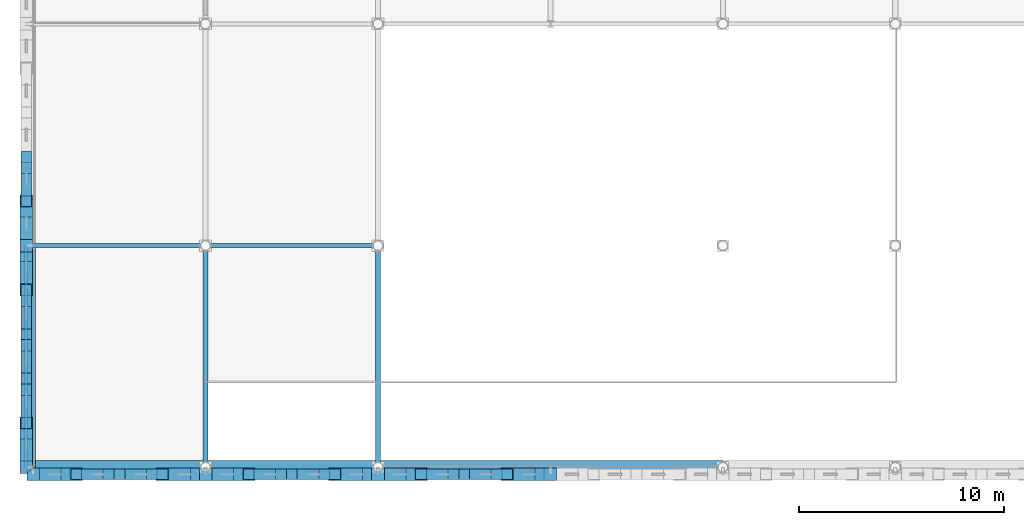
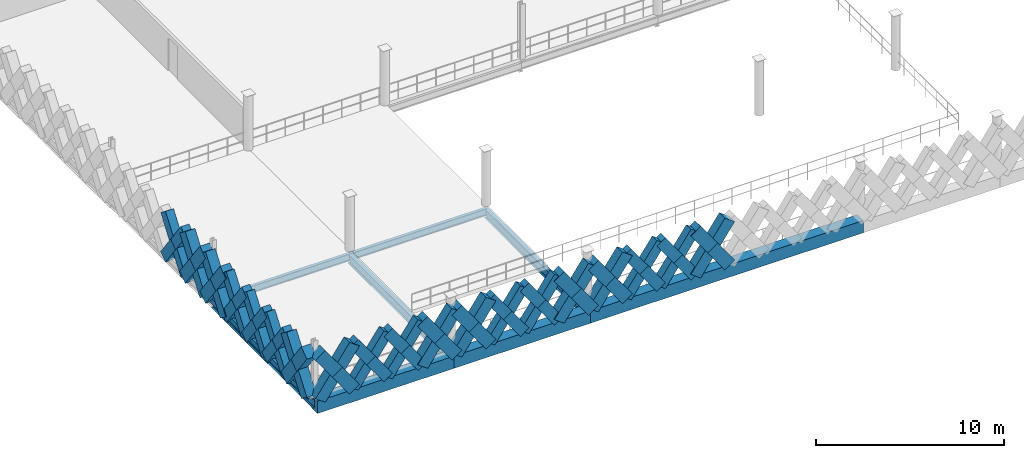
# One storey, part 13 of 47: 58 members, 8 beams.
"""IFC4 building model written with IfcOpenShell, lengths in metres."""

from ifc_helpers import new_model, si_unit, direction, frame, origin, origin_2d, place, context, subcontext, project, spatial, rectangle, hollow_rectangle, i_section, extrude, material, material_profile, profile_set, type_object, element, save


model = new_model("IFC4")

# Units and contexts
model_context = context("Model", 3, precision=1e-05, world=origin(), true_north=direction((0.0, 1.0)))
body_context = subcontext(model_context, "Body", "Model", "MODEL_VIEW")
ifc_project = project(units=[si_unit("LENGTHUNIT", "METRE"), si_unit("AREAUNIT", "SQUARE_METRE"), si_unit("VOLUMEUNIT", "CUBIC_METRE"), si_unit("PLANEANGLEUNIT", "RADIAN"), si_unit("MASSUNIT", "GRAM", prefix="KILO"), si_unit("THERMODYNAMICTEMPERATUREUNIT", "KELVIN"), si_unit("POWERUNIT", "WATT")], contexts=[model_context])

# Site, building, storey
site_placement = place(None, origin())
site = spatial("IfcSite", under=ifc_project, at=site_placement, CompositionType="ELEMENT")
building_placement = place(site_placement, origin())
building = spatial("IfcBuilding", under=site, at=building_placement, Name="Tembeka Court Mobility Hub", CompositionType="ELEMENT")
storey_placement = place(building_placement, frame((0.0, 0.0, 19.800048828125)))
storey = spatial("IfcBuildingStorey", under=building, at=storey_placement, Name="L05", CompositionType="ELEMENT", Elevation=19.800048828125)

# Beams
ifc_material_1 = material(Name="Steel S355", Category="steel")
ifc_material_profile_1 = material_profile(ifc_material_1, i_section(OverallWidth=0.18994140625, OverallDepth=0.45703125, WebThickness=0.009033203125, FlangeThickness=0.014404296875, FilletRadius=0.01025390625, at=origin_2d()), Name="UKB 457x191x74")
ifc_profile_set_1 = profile_set([ifc_material_profile_1], Name="Steel S355")
beam_type_1 = type_object("IfcBeamType", Name="BM-B01", PredefinedType="BEAM", material=ifc_profile_set_1)
beam_1_placement = place(storey_placement, frame((0.0, 10.800048828125, -0.478515625), z_axis=(1.0, 0.0, 0.0), x_axis=(0.0, 1.0, 0.0)))
element("IfcBeam", 1, at=beam_1_placement, inside=storey, type_object=beam_type_1, Name="Beam B01 (BM-L05-X2672)", PredefinedType="BEAM", context=body_context, shape_type="SweptSolid", body=[
    extrude(i_section(OverallWidth=0.18994140625, OverallDepth=0.45703125, WebThickness=0.009033203125, FlangeThickness=0.014404296875, FilletRadius=0.01025390625, at=origin_2d()), origin(), (0.0, 0.0, 1.0), 8.39990234375),
])
beam_2_placement = place(storey_placement, frame((8.39990234375, 10.800048828125, -0.478515625), z_axis=(1.0, 0.0, 0.0), x_axis=(0.0, 1.0, 0.0)))
element("IfcBeam", 2, at=beam_2_placement, inside=storey, type_object=beam_type_1, Name="Beam B01 (BM-L05-X2673)", PredefinedType="BEAM", context=body_context, shape_type="SweptSolid", body=[
    extrude(i_section(OverallWidth=0.18994140625, OverallDepth=0.45703125, WebThickness=0.009033203125, FlangeThickness=0.014404296875, FilletRadius=0.01025390625, at=origin_2d()), origin(), (0.0, 0.0, 1.0), 8.400146484375),
])
ifc_material_profile_2 = material_profile(ifc_material_1, i_section(OverallWidth=0.22900390625, OverallDepth=0.612060546875, WebThickness=0.011962890625, FlangeThickness=0.01953125, FilletRadius=0.0126953125, at=origin_2d()), Name="UKB 610x229x125")
ifc_profile_set_2 = profile_set([ifc_material_profile_2], Name="Steel S355")
beam_type_2 = type_object("IfcBeamType", Name="BM-G02", PredefinedType="USERDEFINED", material=ifc_profile_set_2)
for number, where, z_axis, x_axis, name in (
    (3, (0.0, 0.0, -0.526123046875), (0.0, 1.0, 0.0), (-1.0, 0.0, 0.0), "Beam G02 (BM-L05-Y2776)"),
    (4, (8.39990234375, 0.0, -0.55615234375), (0.0, 1.0, 0.0), (-1.0, 0.0, 0.0), "Beam G02 (BM-L05-Y2787)"),
    (5, (16.800048828125, 0.0, -0.55615234375), (0.0, 1.0, 0.0), (-1.0, 0.0, 0.0), "Beam G02 (BM-L05-Y2798)"),
):
    element("IfcBeam", number, at=place(storey_placement, frame(where, z_axis=z_axis, x_axis=x_axis)), inside=storey, type_object=beam_type_2, Name=name, ObjectType="GIRDER", PredefinedType="USERDEFINED", context=body_context, shape_type="SweptSolid", body=[
        extrude(i_section(OverallWidth=0.22900390625, OverallDepth=0.612060546875, WebThickness=0.011962890625, FlangeThickness=0.01953125, FilletRadius=0.0126953125, at=origin_2d()), origin(), (0.0, 0.0, 1.0), 10.800048828125),
    ])
ifc_material_2 = material(Name="Precast concrete C45/55", Category="concrete")
ifc_material_profile_3 = material_profile(ifc_material_2, rectangle(XDim=0.64990234375, YDim=0.800048828125, at=origin_2d()), Name="PC-SP 650x800")
ifc_profile_set_3 = profile_set([ifc_material_profile_3], Name="Precast concrete C45/55")
beam_type_3 = type_object("IfcBeamType", Name="BM-SP01", PredefinedType="SPANDREL", material=ifc_profile_set_3)
beam_3_placement = place(storey_placement, frame((0.0, 0.0, -0.6201171875), z_axis=(1.0, 0.0, 0.0), x_axis=(0.0, 1.0, 0.0)))
element("IfcBeam", 6, at=beam_3_placement, inside=storey, type_object=beam_type_3, Name="Beam SP01 (BM-L05-X2659)", PredefinedType="SPANDREL", context=body_context, shape_type="SweptSolid", body=[
    extrude(rectangle(XDim=0.64990234375, YDim=0.800048828125, at=origin_2d()), origin(), (0.0, 0.0, 1.0), 8.39990234375),
])
beam_4_placement = place(storey_placement, frame((8.39990234375, 0.0, -0.6201171875), z_axis=(1.0, 0.0, 0.0), x_axis=(0.0, 1.0, 0.0)))
element("IfcBeam", 7, at=beam_4_placement, inside=storey, type_object=beam_type_3, Name="Beam SP01 (BM-L05-X2660)", PredefinedType="SPANDREL", context=body_context, shape_type="SweptSolid", body=[
    extrude(rectangle(XDim=0.64990234375, YDim=0.800048828125, at=origin_2d()), origin(), (0.0, 0.0, 1.0), 8.400146484375),
])
beam_5_placement = place(storey_placement, frame((16.800048828125, 0.0, -0.6201171875), z_axis=(1.0, 0.0, 0.0), x_axis=(0.0, 1.0, 0.0)))
element("IfcBeam", 8, at=beam_5_placement, inside=storey, type_object=beam_type_3, Name="Beam SP01 (BM-L05-X2661)", PredefinedType="SPANDREL", context=body_context, shape_type="SweptSolid", body=[
    extrude(rectangle(XDim=0.64990234375, YDim=0.800048828125, at=origin_2d()), origin(), (0.0, 0.0, 1.0), 16.800048828125),
])

# Members
ifc_material_profile_4 = material_profile(ifc_material_2, rectangle(XDim=0.5, YDim=0.64990234375, at=origin_2d()), Name="PC-DIAG 500x650")
ifc_profile_set_4 = profile_set([ifc_material_profile_4], Name="Precast concrete C45/55")
member_type_1 = type_object("IfcMemberType", Name="MEM-DL01", PredefinedType="BRACE", material=ifc_profile_set_4)
member_1_placement = place(storey_placement, frame((2.10009765625, -0.340087890625, 0.02001953125), z_axis=(0.58253161945, 0.0, 0.812808041509), x_axis=(0.0, 1.0, 0.0)))
element("IfcMember", 9, at=member_1_placement, inside=storey, type_object=member_type_1, Name="Precast diamond lattice continuous strand DL01 (L05-790A)", PredefinedType="BRACE", context=body_context, shape_type="SweptSolid", body=[
    extrude(rectangle(XDim=0.5, YDim=0.64990234375, at=origin_2d()), origin(), (0.0, 0.0, 1.0), 3.604736328125),
])
member_2_placement = place(storey_placement, frame((4.199951171875, -0.340087890625, 0.02001953125), z_axis=(-0.582608431711, 0.0, 0.812752985414), x_axis=(0.0, -1.0, 0.0)))
element("IfcMember", 10, at=member_2_placement, inside=storey, type_object=member_type_1, Name="Precast diamond lattice split lower strand DL01 (L05-790B1)", PredefinedType="BRACE", context=body_context, shape_type="SweptSolid", body=[
    extrude(rectangle(XDim=0.5, YDim=0.64990234375, at=origin_2d()), origin(), (0.0, 0.0, 1.0), 1.80224609375),
])
member_3_placement = place(storey_placement, frame((3.14990234375, -0.340087890625, 1.48486328125), z_axis=(-0.582454804382, 0.0, 0.812863088627), x_axis=(0.0, -1.0, 0.0)))
element("IfcMember", 11, at=member_3_placement, inside=storey, type_object=member_type_1, Name="Precast diamond lattice split upper strand DL01 (L05-790B2)", PredefinedType="BRACE", context=body_context, shape_type="SweptSolid", body=[
    extrude(rectangle(XDim=0.5, YDim=0.64990234375, at=origin_2d()), origin(), (0.0, 0.0, 1.0), 1.802490234375),
])
member_4_placement = place(storey_placement, frame((4.199951171875, -0.340087890625, 0.02001953125), z_axis=(0.582576362011, 0.0, 0.812775973086), x_axis=(0.0, 1.0, 0.0)))
element("IfcMember", 12, at=member_4_placement, inside=storey, type_object=member_type_1, Name="Precast diamond lattice continuous strand DL01 (L05-791A)", PredefinedType="BRACE", context=body_context, shape_type="SweptSolid", body=[
    extrude(rectangle(XDim=0.5, YDim=0.64990234375, at=origin_2d()), origin(), (0.0, 0.0, 1.0), 3.604736328125),
])
member_5_placement = place(storey_placement, frame((6.300048828125, -0.340087890625, 0.02001953125), z_axis=(-0.582608431711, 0.0, 0.812752985414), x_axis=(0.0, -1.0, 0.0)))
element("IfcMember", 13, at=member_5_placement, inside=storey, type_object=member_type_1, Name="Precast diamond lattice split lower strand DL01 (L05-791B1)", PredefinedType="BRACE", context=body_context, shape_type="SweptSolid", body=[
    extrude(rectangle(XDim=0.5, YDim=0.64990234375, at=origin_2d()), origin(), (0.0, 0.0, 1.0), 1.80224609375),
])
member_6_placement = place(storey_placement, frame((5.25, -0.340087890625, 1.48486328125), z_axis=(-0.582544294934, 0.0, 0.812798956963), x_axis=(0.0, -1.0, 0.0)))
element("IfcMember", 14, at=member_6_placement, inside=storey, type_object=member_type_1, Name="Precast diamond lattice split upper strand DL01 (L05-791B2)", PredefinedType="BRACE", context=body_context, shape_type="SweptSolid", body=[
    extrude(rectangle(XDim=0.5, YDim=0.64990234375, at=origin_2d()), origin(), (0.0, 0.0, 1.0), 1.802490234375),
])
member_7_placement = place(storey_placement, frame((10.5, -0.340087890625, 0.02001953125), z_axis=(0.582576362011, 0.0, 0.812775973086), x_axis=(0.0, 1.0, 0.0)))
element("IfcMember", 15, at=member_7_placement, inside=storey, type_object=member_type_1, Name="Precast diamond lattice continuous strand DL01 (L05-794A)", PredefinedType="BRACE", context=body_context, shape_type="SweptSolid", body=[
    extrude(rectangle(XDim=0.5, YDim=0.64990234375, at=origin_2d()), origin(), (0.0, 0.0, 1.0), 3.604736328125),
])
member_8_placement = place(storey_placement, frame((12.60009765625, -0.340087890625, 0.02001953125), z_axis=(-0.582608431711, 0.0, 0.812752985414), x_axis=(0.0, -1.0, 0.0)))
element("IfcMember", 16, at=member_8_placement, inside=storey, type_object=member_type_1, Name="Precast diamond lattice split lower strand DL01 (L05-794B1)", PredefinedType="BRACE", context=body_context, shape_type="SweptSolid", body=[
    extrude(rectangle(XDim=0.5, YDim=0.64990234375, at=origin_2d()), origin(), (0.0, 0.0, 1.0), 1.80224609375),
])
member_9_placement = place(storey_placement, frame((11.550048828125, -0.340087890625, 1.48486328125), z_axis=(-0.582544294934, 0.0, 0.812798956963), x_axis=(0.0, -1.0, 0.0)))
element("IfcMember", 17, at=member_9_placement, inside=storey, type_object=member_type_1, Name="Precast diamond lattice split upper strand DL01 (L05-794B2)", PredefinedType="BRACE", context=body_context, shape_type="SweptSolid", body=[
    extrude(rectangle(XDim=0.5, YDim=0.64990234375, at=origin_2d()), origin(), (0.0, 0.0, 1.0), 1.802490234375),
])
member_10_placement = place(storey_placement, frame((12.60009765625, -0.340087890625, 0.02001953125), z_axis=(0.58253161945, 0.0, 0.812808041509), x_axis=(0.0, 1.0, 0.0)))
element("IfcMember", 18, at=member_10_placement, inside=storey, type_object=member_type_1, Name="Precast diamond lattice continuous strand DL01 (L05-795A)", PredefinedType="BRACE", context=body_context, shape_type="SweptSolid", body=[
    extrude(rectangle(XDim=0.5, YDim=0.64990234375, at=origin_2d()), origin(), (0.0, 0.0, 1.0), 3.604736328125),
])
member_11_placement = place(storey_placement, frame((14.699951171875, -0.340087890625, 0.02001953125), z_axis=(-0.582608431711, 0.0, 0.812752985414), x_axis=(0.0, -1.0, 0.0)))
element("IfcMember", 19, at=member_11_placement, inside=storey, type_object=member_type_1, Name="Precast diamond lattice split lower strand DL01 (L05-795B1)", PredefinedType="BRACE", context=body_context, shape_type="SweptSolid", body=[
    extrude(rectangle(XDim=0.5, YDim=0.64990234375, at=origin_2d()), origin(), (0.0, 0.0, 1.0), 1.80224609375),
])
member_12_placement = place(storey_placement, frame((13.64990234375, -0.340087890625, 1.48486328125), z_axis=(-0.582454804382, 0.0, 0.812863088627), x_axis=(0.0, -1.0, 0.0)))
element("IfcMember", 20, at=member_12_placement, inside=storey, type_object=member_type_1, Name="Precast diamond lattice split upper strand DL01 (L05-795B2)", PredefinedType="BRACE", context=body_context, shape_type="SweptSolid", body=[
    extrude(rectangle(XDim=0.5, YDim=0.64990234375, at=origin_2d()), origin(), (0.0, 0.0, 1.0), 1.802490234375),
])
member_13_placement = place(storey_placement, frame((18.89990234375, -0.340087890625, 0.02001953125), z_axis=(0.582576362011, 0.0, 0.812775973086), x_axis=(0.0, 1.0, 0.0)))
element("IfcMember", 21, at=member_13_placement, inside=storey, type_object=member_type_1, Name="Precast diamond lattice continuous strand DL01 (L05-798A)", PredefinedType="BRACE", context=body_context, shape_type="SweptSolid", body=[
    extrude(rectangle(XDim=0.5, YDim=0.64990234375, at=origin_2d()), origin(), (0.0, 0.0, 1.0), 3.604736328125),
])
member_14_placement = place(storey_placement, frame((21.0, -0.340087890625, 0.02001953125), z_axis=(-0.582608431711, 0.0, 0.812752985414), x_axis=(0.0, -1.0, 0.0)))
element("IfcMember", 22, at=member_14_placement, inside=storey, type_object=member_type_1, Name="Precast diamond lattice split lower strand DL01 (L05-798B1)", PredefinedType="BRACE", context=body_context, shape_type="SweptSolid", body=[
    extrude(rectangle(XDim=0.5, YDim=0.64990234375, at=origin_2d()), origin(), (0.0, 0.0, 1.0), 1.80224609375),
])
member_15_placement = place(storey_placement, frame((19.949951171875, -0.340087890625, 1.48486328125), z_axis=(-0.582544294934, 0.0, 0.812798956963), x_axis=(0.0, -1.0, 0.0)))
element("IfcMember", 23, at=member_15_placement, inside=storey, type_object=member_type_1, Name="Precast diamond lattice split upper strand DL01 (L05-798B2)", PredefinedType="BRACE", context=body_context, shape_type="SweptSolid", body=[
    extrude(rectangle(XDim=0.5, YDim=0.64990234375, at=origin_2d()), origin(), (0.0, 0.0, 1.0), 1.802490234375),
])
member_16_placement = place(storey_placement, frame((21.0, -0.340087890625, 0.02001953125), z_axis=(0.582576362011, 0.0, 0.812775973086), x_axis=(0.0, 1.0, 0.0)))
element("IfcMember", 24, at=member_16_placement, inside=storey, type_object=member_type_1, Name="Precast diamond lattice continuous strand DL01 (L05-799A)", PredefinedType="BRACE", context=body_context, shape_type="SweptSolid", body=[
    extrude(rectangle(XDim=0.5, YDim=0.64990234375, at=origin_2d()), origin(), (0.0, 0.0, 1.0), 3.604736328125),
])
member_17_placement = place(storey_placement, frame((23.10009765625, -0.340087890625, 0.02001953125), z_axis=(-0.582608431711, 0.0, 0.812752985414), x_axis=(0.0, -1.0, 0.0)))
element("IfcMember", 25, at=member_17_placement, inside=storey, type_object=member_type_1, Name="Precast diamond lattice split lower strand DL01 (L05-799B1)", PredefinedType="BRACE", context=body_context, shape_type="SweptSolid", body=[
    extrude(rectangle(XDim=0.5, YDim=0.64990234375, at=origin_2d()), origin(), (0.0, 0.0, 1.0), 1.80224609375),
])
member_18_placement = place(storey_placement, frame((22.050048828125, -0.340087890625, 1.48486328125), z_axis=(-0.582544294934, 0.0, 0.812798956963), x_axis=(0.0, -1.0, 0.0)))
element("IfcMember", 26, at=member_18_placement, inside=storey, type_object=member_type_1, Name="Precast diamond lattice split upper strand DL01 (L05-799B2)", PredefinedType="BRACE", context=body_context, shape_type="SweptSolid", body=[
    extrude(rectangle(XDim=0.5, YDim=0.64990234375, at=origin_2d()), origin(), (0.0, 0.0, 1.0), 1.802490234375),
])
member_19_placement = place(storey_placement, frame((-0.340087890625, 2.159912109375, 0.02001953125), z_axis=(0.0, 0.593423219328, 0.804890602978), x_axis=(-1.0, 0.0, 0.0)))
element("IfcMember", 27, at=member_19_placement, inside=storey, type_object=member_type_1, Name="Precast diamond lattice continuous strand DL01 (L05-878C)", PredefinedType="BRACE", context=body_context, shape_type="SweptSolid", body=[
    extrude(rectangle(XDim=0.5, YDim=0.64990234375, at=origin_2d()), origin(), (0.0, 0.0, 1.0), 3.64013671875),
])
for number, where, z_axis, x_axis, name in (
    (28, (-0.340087890625, 4.320068359375, 0.02001953125), (0.0, -0.593455255298, 0.804866982773), (1.0, 0.0, 0.0), "Precast diamond lattice split lower strand DL01 (L05-878D1)"),
    (29, (-0.340087890625, 3.239990234375, 1.48486328125), (0.0, -0.593391185876, 0.804914219358), (1.0, 0.0, 0.0), "Precast diamond lattice split upper strand DL01 (L05-878D2)"),
):
    element("IfcMember", number, at=place(storey_placement, frame(where, z_axis=z_axis, x_axis=x_axis)), inside=storey, type_object=member_type_1, Name=name, PredefinedType="BRACE", context=body_context, shape_type="SweptSolid", body=[
        extrude(rectangle(XDim=0.5, YDim=0.64990234375, at=origin_2d()), origin(), (0.0, 0.0, 1.0), 1.820068359375),
    ])
member_20_placement = place(storey_placement, frame((-0.340087890625, 4.320068359375, 0.02001953125), z_axis=(0.0, 0.593379766398, 0.804922637792), x_axis=(-1.0, 0.0, 0.0)))
element("IfcMember", 30, at=member_20_placement, inside=storey, type_object=member_type_1, Name="Precast diamond lattice continuous strand DL01 (L05-879C)", PredefinedType="BRACE", context=body_context, shape_type="SweptSolid", body=[
    extrude(rectangle(XDim=0.5, YDim=0.64990234375, at=origin_2d()), origin(), (0.0, 0.0, 1.0), 3.64013671875),
])
for number, where, z_axis, x_axis, name in (
    (31, (-0.340087890625, 6.47998046875, 0.02001953125), (0.0, -0.593455255298, 0.804866982773), (1.0, 0.0, 0.0), "Precast diamond lattice split lower strand DL01 (L05-879D1)"),
    (32, (-0.340087890625, 5.39990234375, 1.48486328125), (0.0, -0.593304274421, 0.804978284151), (1.0, 0.0, 0.0), "Precast diamond lattice split upper strand DL01 (L05-879D2)"),
):
    element("IfcMember", number, at=place(storey_placement, frame(where, z_axis=z_axis, x_axis=x_axis)), inside=storey, type_object=member_type_1, Name=name, PredefinedType="BRACE", context=body_context, shape_type="SweptSolid", body=[
        extrude(rectangle(XDim=0.5, YDim=0.64990234375, at=origin_2d()), origin(), (0.0, 0.0, 1.0), 1.820068359375),
    ])
member_21_placement = place(storey_placement, frame((-0.340087890625, 6.47998046875, 0.02001953125), z_axis=(0.0, 0.593379766398, 0.804922637792), x_axis=(-1.0, 0.0, 0.0)))
element("IfcMember", 33, at=member_21_placement, inside=storey, type_object=member_type_1, Name="Precast diamond lattice continuous strand DL01 (L05-880C)", PredefinedType="BRACE", context=body_context, shape_type="SweptSolid", body=[
    extrude(rectangle(XDim=0.5, YDim=0.64990234375, at=origin_2d()), origin(), (0.0, 0.0, 1.0), 3.64013671875),
])
member_22_placement = place(storey_placement, frame((-0.340087890625, 8.639892578125, 0.02001953125), z_axis=(0.0, -0.593368344659, 0.804931057642), x_axis=(1.0, 0.0, 0.0)))
element("IfcMember", 34, at=member_22_placement, inside=storey, type_object=member_type_1, Name="Precast diamond lattice split lower strand DL01 (L05-880D1)", PredefinedType="BRACE", context=body_context, shape_type="SweptSolid", body=[
    extrude(rectangle(XDim=0.5, YDim=0.64990234375, at=origin_2d()), origin(), (0.0, 0.0, 1.0), 1.81982421875),
])
member_23_placement = place(storey_placement, frame((-0.340087890625, 7.56005859375, 1.48486328125), z_axis=(0.0, -0.593391185876, 0.804914219358), x_axis=(1.0, 0.0, 0.0)))
element("IfcMember", 35, at=member_23_placement, inside=storey, type_object=member_type_1, Name="Precast diamond lattice split upper strand DL01 (L05-880D2)", PredefinedType="BRACE", context=body_context, shape_type="SweptSolid", body=[
    extrude(rectangle(XDim=0.5, YDim=0.64990234375, at=origin_2d()), origin(), (0.0, 0.0, 1.0), 1.820068359375),
])
member_24_placement = place(storey_placement, frame((-0.340087890625, 12.9599609375, 0.02001953125), z_axis=(0.0, 0.593423219328, 0.804890602978), x_axis=(-1.0, 0.0, 0.0)))
element("IfcMember", 36, at=member_24_placement, inside=storey, type_object=member_type_1, Name="Precast diamond lattice continuous strand DL01 (L05-883C)", PredefinedType="BRACE", context=body_context, shape_type="SweptSolid", body=[
    extrude(rectangle(XDim=0.5, YDim=0.64990234375, at=origin_2d()), origin(), (0.0, 0.0, 1.0), 3.64013671875),
])
for number, where, z_axis, x_axis, name in (
    (37, (-0.340087890625, 15.1201171875, 0.02001953125), (0.0, -0.593455255298, 0.804866982773), (1.0, 0.0, 0.0), "Precast diamond lattice split lower strand DL01 (L05-883D1)"),
    (38, (-0.340087890625, 14.0400390625, 1.48486328125), (0.0, -0.593391185876, 0.804914219358), (1.0, 0.0, 0.0), "Precast diamond lattice split upper strand DL01 (L05-883D2)"),
):
    element("IfcMember", number, at=place(storey_placement, frame(where, z_axis=z_axis, x_axis=x_axis)), inside=storey, type_object=member_type_1, Name=name, PredefinedType="BRACE", context=body_context, shape_type="SweptSolid", body=[
        extrude(rectangle(XDim=0.5, YDim=0.64990234375, at=origin_2d()), origin(), (0.0, 0.0, 1.0), 1.820068359375),
    ])
ifc_material_profile_5 = material_profile(ifc_material_2, rectangle(XDim=0.60009765625, YDim=0.75, at=origin_2d()), Name="PC-DIAG 600x750")
ifc_profile_set_5 = profile_set([ifc_material_profile_5], Name="Precast concrete C45/55")
member_type_2 = type_object("IfcMemberType", Name="MEM-DL02", PredefinedType="BRACE", material=ifc_profile_set_5)
member_25_placement = place(storey_placement, frame((0.0, -0.340087890625, 0.02001953125), z_axis=(0.582576362011, 0.0, 0.812775973086), x_axis=(0.0, 1.0, 0.0)))
element("IfcMember", 39, at=member_25_placement, inside=storey, type_object=member_type_2, Name="Precast diamond lattice continuous strand DL02 (L05-789A)", PredefinedType="BRACE", context=body_context, shape_type="SweptSolid", body=[
    extrude(rectangle(XDim=0.60009765625, YDim=0.75, at=origin_2d()), origin(), (0.0, 0.0, 1.0), 3.604736328125),
])
member_26_placement = place(storey_placement, frame((2.10009765625, -0.340087890625, 0.02001953125), z_axis=(-0.582608431711, 0.0, 0.812752985414), x_axis=(0.0, -1.0, 0.0)))
element("IfcMember", 40, at=member_26_placement, inside=storey, type_object=member_type_2, Name="Precast diamond lattice split lower strand DL02 (L05-789B1)", PredefinedType="BRACE", context=body_context, shape_type="SweptSolid", body=[
    extrude(rectangle(XDim=0.60009765625, YDim=0.75, at=origin_2d()), origin(), (0.0, 0.0, 1.0), 1.80224609375),
])
member_27_placement = place(storey_placement, frame((1.050048828125, -0.340087890625, 1.48486328125), z_axis=(-0.582544294934, 0.0, 0.812798956963), x_axis=(0.0, -1.0, 0.0)))
element("IfcMember", 41, at=member_27_placement, inside=storey, type_object=member_type_2, Name="Precast diamond lattice split upper strand DL02 (L05-789B2)", PredefinedType="BRACE", context=body_context, shape_type="SweptSolid", body=[
    extrude(rectangle(XDim=0.60009765625, YDim=0.75, at=origin_2d()), origin(), (0.0, 0.0, 1.0), 1.802490234375),
])
member_28_placement = place(storey_placement, frame((6.300048828125, -0.340087890625, 0.02001953125), z_axis=(0.58253161945, 0.0, 0.812808041509), x_axis=(0.0, 1.0, 0.0)))
element("IfcMember", 42, at=member_28_placement, inside=storey, type_object=member_type_2, Name="Precast diamond lattice continuous strand DL02 (L05-792A)", PredefinedType="BRACE", context=body_context, shape_type="SweptSolid", body=[
    extrude(rectangle(XDim=0.60009765625, YDim=0.75, at=origin_2d()), origin(), (0.0, 0.0, 1.0), 3.604736328125),
])
member_29_placement = place(storey_placement, frame((8.39990234375, -0.340087890625, 0.02001953125), z_axis=(-0.582518941428, 0.0, 0.812817127574), x_axis=(0.0, -1.0, 0.0)))
element("IfcMember", 43, at=member_29_placement, inside=storey, type_object=member_type_2, Name="Precast diamond lattice split lower strand DL02 (L05-792B1)", PredefinedType="BRACE", context=body_context, shape_type="SweptSolid", body=[
    extrude(rectangle(XDim=0.60009765625, YDim=0.75, at=origin_2d()), origin(), (0.0, 0.0, 1.0), 1.80224609375),
])
member_30_placement = place(storey_placement, frame((7.35009765625, -0.340087890625, 1.48486328125), z_axis=(-0.582544294934, 0.0, 0.812798956963), x_axis=(0.0, -1.0, 0.0)))
element("IfcMember", 44, at=member_30_placement, inside=storey, type_object=member_type_2, Name="Precast diamond lattice split upper strand DL02 (L05-792B2)", PredefinedType="BRACE", context=body_context, shape_type="SweptSolid", body=[
    extrude(rectangle(XDim=0.60009765625, YDim=0.75, at=origin_2d()), origin(), (0.0, 0.0, 1.0), 1.802490234375),
])
member_31_placement = place(storey_placement, frame((8.39990234375, -0.340087890625, 0.02001953125), z_axis=(0.582576362011, 0.0, 0.812775973086), x_axis=(0.0, 1.0, 0.0)))
element("IfcMember", 45, at=member_31_placement, inside=storey, type_object=member_type_2, Name="Precast diamond lattice continuous strand DL02 (L05-793A)", PredefinedType="BRACE", context=body_context, shape_type="SweptSolid", body=[
    extrude(rectangle(XDim=0.60009765625, YDim=0.75, at=origin_2d()), origin(), (0.0, 0.0, 1.0), 3.604736328125),
])
member_32_placement = place(storey_placement, frame((10.5, -0.340087890625, 0.02001953125), z_axis=(-0.582608431711, 0.0, 0.812752985414), x_axis=(0.0, -1.0, 0.0)))
element("IfcMember", 46, at=member_32_placement, inside=storey, type_object=member_type_2, Name="Precast diamond lattice split lower strand DL02 (L05-793B1)", PredefinedType="BRACE", context=body_context, shape_type="SweptSolid", body=[
    extrude(rectangle(XDim=0.60009765625, YDim=0.75, at=origin_2d()), origin(), (0.0, 0.0, 1.0), 1.80224609375),
])
member_33_placement = place(storey_placement, frame((9.449951171875, -0.340087890625, 1.48486328125), z_axis=(-0.582544294934, 0.0, 0.812798956963), x_axis=(0.0, -1.0, 0.0)))
element("IfcMember", 47, at=member_33_placement, inside=storey, type_object=member_type_2, Name="Precast diamond lattice split upper strand DL02 (L05-793B2)", PredefinedType="BRACE", context=body_context, shape_type="SweptSolid", body=[
    extrude(rectangle(XDim=0.60009765625, YDim=0.75, at=origin_2d()), origin(), (0.0, 0.0, 1.0), 1.802490234375),
])
member_34_placement = place(storey_placement, frame((14.699951171875, -0.340087890625, 0.02001953125), z_axis=(0.582576362011, 0.0, 0.812775973086), x_axis=(0.0, 1.0, 0.0)))
element("IfcMember", 48, at=member_34_placement, inside=storey, type_object=member_type_2, Name="Precast diamond lattice continuous strand DL02 (L05-796A)", PredefinedType="BRACE", context=body_context, shape_type="SweptSolid", body=[
    extrude(rectangle(XDim=0.60009765625, YDim=0.75, at=origin_2d()), origin(), (0.0, 0.0, 1.0), 3.604736328125),
])
member_35_placement = place(storey_placement, frame((16.800048828125, -0.340087890625, 0.02001953125), z_axis=(-0.582608431711, 0.0, 0.812752985414), x_axis=(0.0, -1.0, 0.0)))
element("IfcMember", 49, at=member_35_placement, inside=storey, type_object=member_type_2, Name="Precast diamond lattice split lower strand DL02 (L05-796B1)", PredefinedType="BRACE", context=body_context, shape_type="SweptSolid", body=[
    extrude(rectangle(XDim=0.60009765625, YDim=0.75, at=origin_2d()), origin(), (0.0, 0.0, 1.0), 1.80224609375),
])
member_36_placement = place(storey_placement, frame((15.75, -0.340087890625, 1.48486328125), z_axis=(-0.582544294934, 0.0, 0.812798956963), x_axis=(0.0, -1.0, 0.0)))
element("IfcMember", 50, at=member_36_placement, inside=storey, type_object=member_type_2, Name="Precast diamond lattice split upper strand DL02 (L05-796B2)", PredefinedType="BRACE", context=body_context, shape_type="SweptSolid", body=[
    extrude(rectangle(XDim=0.60009765625, YDim=0.75, at=origin_2d()), origin(), (0.0, 0.0, 1.0), 1.802490234375),
])
member_37_placement = place(storey_placement, frame((16.800048828125, -0.340087890625, 0.02001953125), z_axis=(0.58253161945, 0.0, 0.812808041509), x_axis=(0.0, 1.0, 0.0)))
element("IfcMember", 51, at=member_37_placement, inside=storey, type_object=member_type_2, Name="Precast diamond lattice continuous strand DL02 (L05-797A)", PredefinedType="BRACE", context=body_context, shape_type="SweptSolid", body=[
    extrude(rectangle(XDim=0.60009765625, YDim=0.75, at=origin_2d()), origin(), (0.0, 0.0, 1.0), 3.604736328125),
])
member_38_placement = place(storey_placement, frame((18.89990234375, -0.340087890625, 0.02001953125), z_axis=(-0.582518941428, 0.0, 0.812817127574), x_axis=(0.0, -1.0, 0.0)))
element("IfcMember", 52, at=member_38_placement, inside=storey, type_object=member_type_2, Name="Precast diamond lattice split lower strand DL02 (L05-797B1)", PredefinedType="BRACE", context=body_context, shape_type="SweptSolid", body=[
    extrude(rectangle(XDim=0.60009765625, YDim=0.75, at=origin_2d()), origin(), (0.0, 0.0, 1.0), 1.80224609375),
])
member_39_placement = place(storey_placement, frame((17.85009765625, -0.340087890625, 1.48486328125), z_axis=(-0.582544294934, 0.0, 0.812798956963), x_axis=(0.0, -1.0, 0.0)))
element("IfcMember", 53, at=member_39_placement, inside=storey, type_object=member_type_2, Name="Precast diamond lattice split upper strand DL02 (L05-797B2)", PredefinedType="BRACE", context=body_context, shape_type="SweptSolid", body=[
    extrude(rectangle(XDim=0.60009765625, YDim=0.75, at=origin_2d()), origin(), (0.0, 0.0, 1.0), 1.802490234375),
])
member_40_placement = place(storey_placement, frame((23.10009765625, -0.340087890625, 0.02001953125), z_axis=(0.58253161945, 0.0, 0.812808041509), x_axis=(0.0, 1.0, 0.0)))
element("IfcMember", 54, at=member_40_placement, inside=storey, type_object=member_type_2, Name="Precast diamond lattice continuous strand DL02 (L05-800A)", PredefinedType="BRACE", context=body_context, shape_type="SweptSolid", body=[
    extrude(rectangle(XDim=0.60009765625, YDim=0.75, at=origin_2d()), origin(), (0.0, 0.0, 1.0), 3.604736328125),
])
member_41_placement = place(storey_placement, frame((25.199951171875, -0.340087890625, 0.02001953125), z_axis=(-0.582608431711, 0.0, 0.812752985414), x_axis=(0.0, -1.0, 0.0)))
element("IfcMember", 55, at=member_41_placement, inside=storey, type_object=member_type_2, Name="Precast diamond lattice split lower strand DL02 (L05-800B1)", PredefinedType="BRACE", context=body_context, shape_type="SweptSolid", body=[
    extrude(rectangle(XDim=0.60009765625, YDim=0.75, at=origin_2d()), origin(), (0.0, 0.0, 1.0), 1.80224609375),
])
member_42_placement = place(storey_placement, frame((24.14990234375, -0.340087890625, 1.48486328125), z_axis=(-0.582454804382, 0.0, 0.812863088627), x_axis=(0.0, -1.0, 0.0)))
element("IfcMember", 56, at=member_42_placement, inside=storey, type_object=member_type_2, Name="Precast diamond lattice split upper strand DL02 (L05-800B2)", PredefinedType="BRACE", context=body_context, shape_type="SweptSolid", body=[
    extrude(rectangle(XDim=0.60009765625, YDim=0.75, at=origin_2d()), origin(), (0.0, 0.0, 1.0), 1.802490234375),
])
member_43_placement = place(storey_placement, frame((-0.340087890625, 0.0, 0.02001953125), z_axis=(0.0, 0.593379766398, 0.804922637792), x_axis=(-1.0, 0.0, 0.0)))
element("IfcMember", 57, at=member_43_placement, inside=storey, type_object=member_type_2, Name="Precast diamond lattice continuous strand DL02 (L05-877C)", PredefinedType="BRACE", context=body_context, shape_type="SweptSolid", body=[
    extrude(rectangle(XDim=0.60009765625, YDim=0.75, at=origin_2d()), origin(), (0.0, 0.0, 1.0), 3.64013671875),
])
member_44_placement = place(storey_placement, frame((-0.340087890625, 2.159912109375, 0.02001953125), z_axis=(0.0, -0.593368344659, 0.804931057642), x_axis=(1.0, 0.0, 0.0)))
element("IfcMember", 58, at=member_44_placement, inside=storey, type_object=member_type_2, Name="Precast diamond lattice split lower strand DL02 (L05-877D1)", PredefinedType="BRACE", context=body_context, shape_type="SweptSolid", body=[
    extrude(rectangle(XDim=0.60009765625, YDim=0.75, at=origin_2d()), origin(), (0.0, 0.0, 1.0), 1.81982421875),
])
member_45_placement = place(storey_placement, frame((-0.340087890625, 1.080078125, 1.48486328125), z_axis=(0.0, -0.593391185876, 0.804914219358), x_axis=(1.0, 0.0, 0.0)))
element("IfcMember", 59, at=member_45_placement, inside=storey, type_object=member_type_2, Name="Precast diamond lattice split upper strand DL02 (L05-877D2)", PredefinedType="BRACE", context=body_context, shape_type="SweptSolid", body=[
    extrude(rectangle(XDim=0.60009765625, YDim=0.75, at=origin_2d()), origin(), (0.0, 0.0, 1.0), 1.820068359375),
])
member_46_placement = place(storey_placement, frame((-0.340087890625, 8.639892578125, 0.02001953125), z_axis=(0.0, 0.593423219328, 0.804890602978), x_axis=(-1.0, 0.0, 0.0)))
element("IfcMember", 60, at=member_46_placement, inside=storey, type_object=member_type_2, Name="Precast diamond lattice continuous strand DL02 (L05-881C)", PredefinedType="BRACE", context=body_context, shape_type="SweptSolid", body=[
    extrude(rectangle(XDim=0.60009765625, YDim=0.75, at=origin_2d()), origin(), (0.0, 0.0, 1.0), 3.64013671875),
])
for number, where, z_axis, x_axis, name in (
    (61, (-0.340087890625, 10.800048828125, 0.02001953125), (0.0, -0.593455255298, 0.804866982773), (1.0, 0.0, 0.0), "Precast diamond lattice split lower strand DL02 (L05-881D1)"),
    (62, (-0.340087890625, 9.719970703125, 1.48486328125), (0.0, -0.593391185876, 0.804914219358), (1.0, 0.0, 0.0), "Precast diamond lattice split upper strand DL02 (L05-881D2)"),
):
    element("IfcMember", number, at=place(storey_placement, frame(where, z_axis=z_axis, x_axis=x_axis)), inside=storey, type_object=member_type_2, Name=name, PredefinedType="BRACE", context=body_context, shape_type="SweptSolid", body=[
        extrude(rectangle(XDim=0.60009765625, YDim=0.75, at=origin_2d()), origin(), (0.0, 0.0, 1.0), 1.820068359375),
    ])
member_47_placement = place(storey_placement, frame((-0.340087890625, 10.800048828125, 0.02001953125), z_axis=(0.0, 0.593379766398, 0.804922637792), x_axis=(-1.0, 0.0, 0.0)))
element("IfcMember", 63, at=member_47_placement, inside=storey, type_object=member_type_2, Name="Precast diamond lattice continuous strand DL02 (L05-882C)", PredefinedType="BRACE", context=body_context, shape_type="SweptSolid", body=[
    extrude(rectangle(XDim=0.60009765625, YDim=0.75, at=origin_2d()), origin(), (0.0, 0.0, 1.0), 3.64013671875),
])
for number, where, z_axis, x_axis, name in (
    (64, (-0.340087890625, 12.9599609375, 0.02001953125), (0.0, -0.593455255298, 0.804866982773), (1.0, 0.0, 0.0), "Precast diamond lattice split lower strand DL02 (L05-882D1)"),
    (65, (-0.340087890625, 11.8798828125, 1.48486328125), (0.0, -0.593304274421, 0.804978284151), (1.0, 0.0, 0.0), "Precast diamond lattice split upper strand DL02 (L05-882D2)"),
):
    element("IfcMember", number, at=place(storey_placement, frame(where, z_axis=z_axis, x_axis=x_axis)), inside=storey, type_object=member_type_2, Name=name, PredefinedType="BRACE", context=body_context, shape_type="SweptSolid", body=[
        extrude(rectangle(XDim=0.60009765625, YDim=0.75, at=origin_2d()), origin(), (0.0, 0.0, 1.0), 1.820068359375),
    ])
ifc_material_profile_6 = material_profile(ifc_material_1, hollow_rectangle(XDim=0.14990234375, YDim=0.300048828125, WallThickness=0.010009765625, at=origin_2d()), Name="RHS 300x150x10")
ifc_profile_set_6 = profile_set([ifc_material_profile_6], Name="Steel S355")
member_type_3 = type_object("IfcMemberType", Name="MEM-ST03", PredefinedType="STRUT", material=ifc_profile_set_6)
member_48_placement = place(storey_placement, frame((-0.340087890625, 0.0, 0.02001953125), z_axis=(0.0, 1.0, 0.0), x_axis=(-1.0, 0.0, 0.0)))
element("IfcMember", 66, at=member_48_placement, inside=storey, type_object=member_type_3, Name="Proud lattice sill tie chord SR03 (L05-W-0)", PredefinedType="STRUT", context=body_context, shape_type="SweptSolid", body=[
    extrude(hollow_rectangle(XDim=0.14990234375, YDim=0.300048828125, WallThickness=0.010009765625, at=origin_2d()), origin(), (0.0, 0.0, 1.0), 10.800048828125),
])

save(model, "model.ifc")
